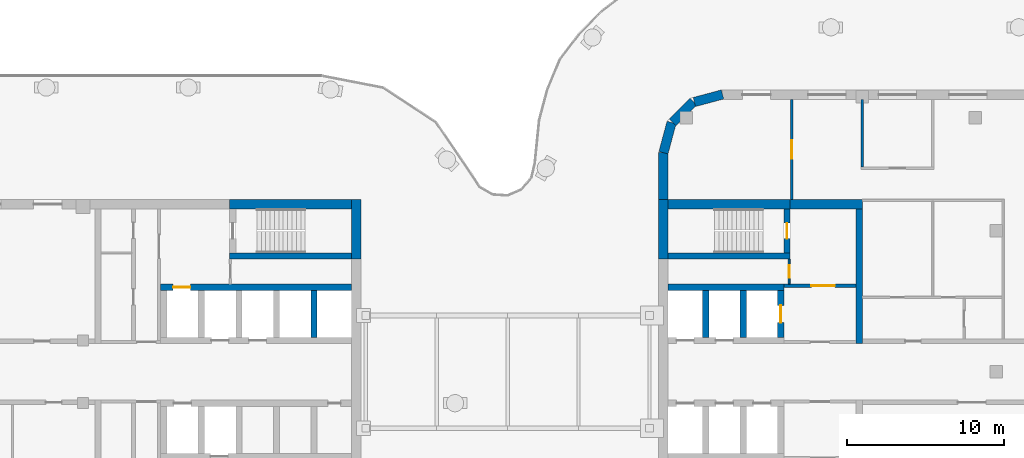
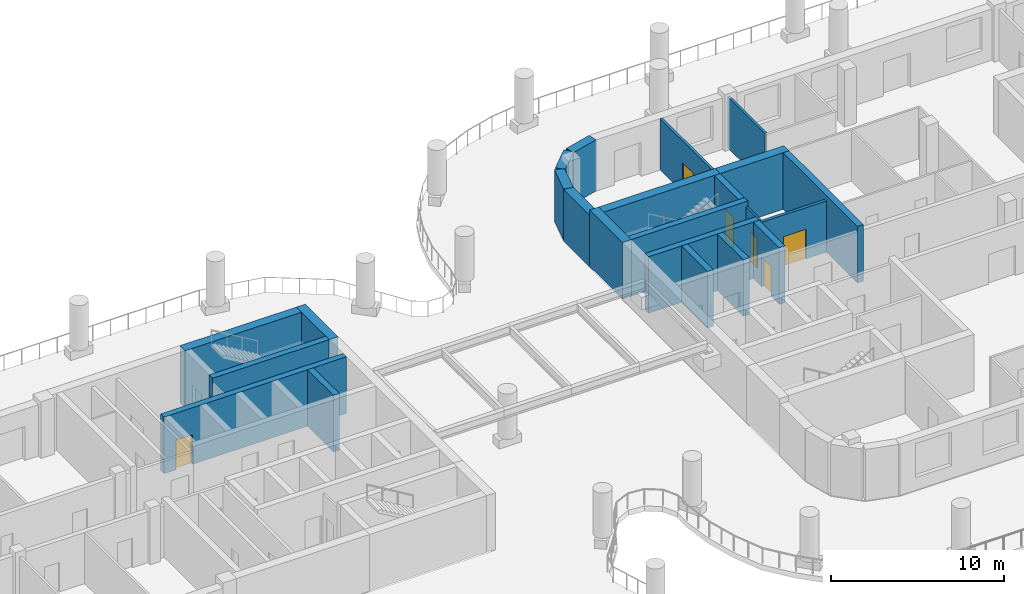
# One storey, part 9 of 18: 23 walls, 6 doors, 6 openings.
"""IFC4 building model written with IfcOpenShell, lengths in metres."""

from ifc_helpers import new_model, si_unit, direction, frame, frame_2d, origin, place, context, subcontext, project, spatial, rectangle, extrude, material, layer, layer_set, type_object, element, fill, save


model = new_model("IFC4")

# Units and contexts
model_context = context("Model", 3, precision=1e-05, world=origin(), true_north=direction((0.0, 1.0)))
body_context = subcontext(model_context, "Body", "Model", "MODEL_VIEW")
ifc_project = project(units=[si_unit("LENGTHUNIT", "METRE"), si_unit("AREAUNIT", "SQUARE_METRE"), si_unit("VOLUMEUNIT", "CUBIC_METRE"), si_unit("PLANEANGLEUNIT", "RADIAN"), si_unit("MASSUNIT", "GRAM", prefix="KILO")], contexts=[model_context])

# Site, building, storey
site_placement = place(None, origin())
site = spatial("IfcSite", under=ifc_project, at=site_placement, CompositionType="ELEMENT")
building_placement = place(site_placement, origin())
building = spatial("IfcBuilding", under=site, at=building_placement, Name="Skarvind Civic Tower", CompositionType="ELEMENT")
storey_placement = place(building_placement, frame((0.0, 0.0, 27.5)))
storey = spatial("IfcBuildingStorey", under=building, at=storey_placement, Name="L05", CompositionType="ELEMENT", Elevation=27.5)

# Wall, opening, door
ifc_material_1 = material(Name="Acoustic gypsum board on steel studs", Category="steel")
ifc_layer_1 = layer(ifc_material_1, 0.175048828125)
ifc_layer_set_1 = layer_set([ifc_layer_1], Name="ACOUSTIC MEETING-ROOM PARTITION 175")
wall_type_1 = type_object("IfcWallType", Name="ACOUSTIC MEETING-ROOM PARTITION 175", PredefinedType="PARTITIONING", material=ifc_layer_set_1)
wall_1_placement = place(storey_placement, frame((135.5, 145.39990234375, 0.0), z_axis=(0.0, 0.0, 1.0), x_axis=(0.0, -1.0, 0.0)))
wall_1 = element("IfcWall", 1, at=wall_1_placement, inside=storey, type_object=wall_type_1, Name="Partition 05.002", PredefinedType="PARTITIONING", context=body_context, shape_type="SweptSolid", body=[
    extrude(rectangle(XDim=6.39990234375, YDim=0.175048828125, at=frame_2d((3.199951171875, 0.0))), origin(), (0.0, 0.0, 1.0), 3.625),
])
opening_1_placement = place(wall_1_placement, frame((2.60009765625, 0.0, 0.0)))
opening_1 = element("IfcOpeningElement", 2, at=opening_1_placement, cuts=wall_1, Name="Opening L05-D107", PredefinedType="OPENING", context=body_context, shape_type="SweptSolid", body=[
    extrude(rectangle(XDim=1.199951171875, YDim=2.10009765625, at=frame_2d((0.60009765625, 1.050048828125))), frame((0.0, 0.097412109375, 0.0), z_axis=(0.0, -1.0, 0.0), x_axis=(1.0, 0.0, 0.0)), (0.0, 0.0, 1.0), 0.195068359375),
])
ifc_material_2 = material(Name="Timber door leaf", Category="wood")
door_type_1 = type_object("IfcDoorType", Name="DOOR 1200X2100 DOUBLE TIMBER", OperationType="NOTDEFINED", PredefinedType="DOOR", material=ifc_material_2)
door_1_placement = place(opening_1_placement, origin())
door_1 = element("IfcDoor", 3, at=door_1_placement, inside=storey, type_object=door_type_1, Name="Door L05-D107", OperationType="DOUBLE_DOOR_SINGLE_SWING", OverallHeight=2.10009765625, OverallWidth=1.199951171875, PredefinedType="DOOR", context=body_context, shape_type="SweptSolid", body=[
    extrude(rectangle(XDim=1.199951171875, YDim=2.10009765625, at=frame_2d((0.60009765625, 1.050048828125))), frame((0.0, 0.02490234375, 0.0), z_axis=(0.0, -1.0, 0.0), x_axis=(1.0, 0.0, 0.0)), (0.0, 0.0, 1.0), 0.050048828125),
])
fill(opening_1, door_1)

ifc_material_3 = material(Name="Fire-rated masonry partition", Category="masonry")
ifc_layer_2 = layer(ifc_material_3, 0.199951171875)
ifc_layer_set_2 = layer_set([ifc_layer_2], Name="Core enclosure wall 200")
wall_type_2 = type_object("IfcWallType", Name="Core enclosure wall 200", PredefinedType="PARTITIONING", material=ifc_layer_set_2)
wall_2_placement = place(storey_placement, frame((135.0, 133.5, 0.0), z_axis=(0.0, 0.0, 1.0), x_axis=(1.0, 0.0, 0.0)))
wall_2 = element("IfcWall", 4, at=wall_2_placement, inside=storey, type_object=wall_type_2, Name="Core wall CA", PredefinedType="PARTITIONING", context=body_context, shape_type="SweptSolid", body=[
    extrude(rectangle(XDim=4.60009765625, YDim=0.199951171875, at=frame_2d((2.300048828125, 0.0))), origin(), (0.0, 0.0, 1.0), 3.625),
])
opening_2_placement = place(wall_2_placement, frame((1.75, 0.0, 0.0)))
opening_2 = element("IfcOpeningElement", 5, at=opening_2_placement, cuts=wall_2, Name="Opening D-L05-CA-07", PredefinedType="OPENING", context=body_context, shape_type="SweptSolid", body=[
    extrude(rectangle(XDim=1.5, YDim=2.10009765625, at=frame_2d((0.75, 1.050048828125))), frame((0.0, 0.10986328125, 0.0), z_axis=(0.0, -1.0, 0.0), x_axis=(1.0, 0.0, 0.0)), (0.0, 0.0, 1.0), 0.219970703125),
])
ifc_material_4 = material(Name="Fire-rated steel door", Category="steel")
door_type_2 = type_object("IfcDoorType", Name="Fire door 1500", OperationType="NOTDEFINED", PredefinedType="DOOR", material=ifc_material_4)
door_2_placement = place(opening_2_placement, origin())
door_2 = element("IfcDoor", 6, at=door_2_placement, inside=storey, type_object=door_type_2, Name="Fire door", OperationType="DOUBLE_DOOR_SINGLE_SWING", OverallHeight=2.10009765625, OverallWidth=1.5, PredefinedType="DOOR", context=body_context, shape_type="SweptSolid", body=[
    extrude(rectangle(XDim=1.5, YDim=2.10009765625, at=frame_2d((0.75, 1.050048828125))), frame((0.0, 0.02490234375, 0.0), z_axis=(0.0, -1.0, 0.0), x_axis=(1.0, 0.0, 0.0)), (0.0, 0.0, 1.0), 0.050048828125),
])
fill(opening_2, door_2)

# Wall
ifc_material_5 = material(Name="Concrete C80", Category="concrete")
ifc_layer_3 = layer(ifc_material_5, 0.39990234375)
ifc_layer_set_3 = layer_set([ifc_layer_3], Name="Core wall 400 C80")
wall_type_3 = type_object("IfcWallType", Name="Core wall 400 C80", PredefinedType="SHEAR", material=ifc_layer_set_3)
wall_3_placement = place(storey_placement, frame((107.39990234375, 135.39990234375, 0.0), z_axis=(0.0, 0.0, 1.0), x_axis=(-1.0, 0.0, 0.0)))
element("IfcWall", 7, at=wall_3_placement, inside=storey, type_object=wall_type_3, Name="Core wall C1 south stair inner L05", PredefinedType="SHEAR", context=body_context, shape_type="SweptSolid", body=[
    extrude(rectangle(XDim=7.7998046875, YDim=0.39990234375, at=frame_2d((3.89990234375, 0.0))), origin(), (0.0, 0.0, 1.0), 4.0),
])

# Wall, opening, door
wall_4_placement = place(storey_placement, frame((107.39990234375, 133.39990234375, 0.0), z_axis=(0.0, 0.0, 1.0), x_axis=(-1.0, 0.0, 0.0)))
wall_4 = element("IfcWall", 8, at=wall_4_placement, inside=storey, type_object=wall_type_3, Name="Core wall C1 south lift row back L05", PredefinedType="SHEAR", context=body_context, shape_type="SweptSolid", body=[
    extrude(rectangle(XDim=12.199951171875, YDim=0.39990234375, at=frame_2d((6.10009765625, 0.0))), origin(), (0.0, 0.0, 1.0), 4.0),
])
opening_3_placement = place(wall_4_placement, frame((10.300048828125, 0.0, 0.0)))
opening_3 = element("IfcOpeningElement", 9, at=opening_3_placement, cuts=wall_4, Name="Opening LD07110", PredefinedType="OPENING", context=body_context, shape_type="SweptSolid", body=[
    extrude(rectangle(XDim=1.10009765625, YDim=2.10009765625, at=frame_2d((0.550048828125, 1.050048828125))), frame((0.0, 0.2099609375, 0.0), z_axis=(0.0, -1.0, 0.0), x_axis=(1.0, 0.0, 0.0)), (0.0, 0.0, 1.0), 0.419921875),
])
ifc_material_6 = material(Name="Stainless steel landing door", Category="steel")
door_type_3 = type_object("IfcDoorType", Name="Lift landing door 1100", OperationType="DOUBLE_DOOR_SLIDING", PredefinedType="DOOR", material=ifc_material_6)
door_3_placement = place(opening_3_placement, origin())
door_3 = element("IfcDoor", 10, at=door_3_placement, inside=storey, type_object=door_type_3, Name="Lift landing door", OperationType="DOUBLE_DOOR_SLIDING", OverallHeight=2.10009765625, OverallWidth=1.10009765625, PredefinedType="DOOR", context=body_context, shape_type="SweptSolid", body=[
    extrude(rectangle(XDim=1.10009765625, YDim=2.10009765625, at=frame_2d((0.550048828125, 1.050048828125))), frame((0.0, 0.02490234375, 0.0), z_axis=(0.0, -1.0, 0.0), x_axis=(1.0, 0.0, 0.0)), (0.0, 0.0, 1.0), 0.050048828125),
])
fill(opening_3, door_3)

# Walls
wall_5_placement = place(storey_placement, frame((105.0, 133.199951171875, 0.0), z_axis=(0.0, 0.0, 1.0), x_axis=(0.0, -1.0, 0.0)))
element("IfcWall", 11, at=wall_5_placement, inside=storey, type_object=wall_type_3, Name="Core wall C1 south lift row division 1 L05", PredefinedType="SHEAR", context=body_context, shape_type="SweptSolid", body=[
    extrude(rectangle(XDim=3.0, YDim=0.39990234375, at=frame_2d((1.5, 0.0))), origin(), (0.0, 0.0, 1.0), 4.0),
])
wall_6_placement = place(storey_placement, frame((127.60009765625, 135.39990234375, 0.0), z_axis=(0.0, 0.0, 1.0), x_axis=(1.0, 0.0, 0.0)))
element("IfcWall", 12, at=wall_6_placement, inside=storey, type_object=wall_type_3, Name="Core wall CA north stair inner L05", PredefinedType="SHEAR", context=body_context, shape_type="SweptSolid", body=[
    extrude(rectangle(XDim=7.7998046875, YDim=0.39990234375, at=frame_2d((3.89990234375, 0.0))), origin(), (0.0, 0.0, 1.0), 4.0),
])

# Wall, opening, door
wall_7_placement = place(storey_placement, frame((135.199951171875, 135.60009765625, 0.0), z_axis=(0.0, 0.0, 1.0), x_axis=(0.0, 1.0, 0.0)))
wall_7 = element("IfcWall", 13, at=wall_7_placement, inside=storey, type_object=wall_type_3, Name="Core wall CA north stair end L05", PredefinedType="SHEAR", context=body_context, shape_type="SweptSolid", body=[
    extrude(rectangle(XDim=2.7998046875, YDim=0.39990234375, at=frame_2d((1.39990234375, 0.0))), origin(), (0.0, 0.0, 1.0), 4.0),
])
opening_4_placement = place(wall_7_placement, frame((0.89990234375, 0.0, 0.0)))
opening_4 = element("IfcOpeningElement", 14, at=opening_4_placement, cuts=wall_7, Name="Opening D-L05-CA-08", PredefinedType="OPENING", context=body_context, shape_type="SweptSolid", body=[
    extrude(rectangle(XDim=1.0, YDim=2.10009765625, at=frame_2d((0.5, 1.050048828125))), frame((0.0, 0.2099609375, 0.0), z_axis=(0.0, -1.0, 0.0), x_axis=(1.0, 0.0, 0.0)), (0.0, 0.0, 1.0), 0.419921875),
])
door_type_4 = type_object("IfcDoorType", Name="Fire door 1000", OperationType="NOTDEFINED", PredefinedType="DOOR", material=ifc_material_4)
door_4_placement = place(opening_4_placement, origin())
door_4 = element("IfcDoor", 15, at=door_4_placement, inside=storey, type_object=door_type_4, Name="Fire door", OperationType="SINGLE_SWING_LEFT", OverallHeight=2.10009765625, OverallWidth=1.0, PredefinedType="DOOR", context=body_context, shape_type="SweptSolid", body=[
    extrude(rectangle(XDim=1.0, YDim=2.10009765625, at=frame_2d((0.5, 1.050048828125))), frame((0.0, 0.02490234375, 0.0), z_axis=(0.0, -1.0, 0.0), x_axis=(1.0, 0.0, 0.0)), (0.0, 0.0, 1.0), 0.050048828125),
])
fill(opening_4, door_4)

# Walls
wall_8_placement = place(storey_placement, frame((127.60009765625, 133.39990234375, 0.0), z_axis=(0.0, 0.0, 1.0), x_axis=(1.0, 0.0, 0.0)))
element("IfcWall", 16, at=wall_8_placement, inside=storey, type_object=wall_type_3, Name="Core wall CA north lift row back L05", PredefinedType="SHEAR", context=body_context, shape_type="SweptSolid", body=[
    extrude(rectangle(XDim=7.39990234375, YDim=0.39990234375, at=frame_2d((3.699951171875, 0.0))), origin(), (0.0, 0.0, 1.0), 4.0),
])
for number, where, z_axis, x_axis, name in (
    (17, (130.0, 130.199951171875, 0.0), (0.0, 0.0, 1.0), (0.0, 1.0, 0.0), "Core wall CA north lift row division 1 L05"),
    (18, (132.39990234375, 130.199951171875, 0.0), (0.0, 0.0, 1.0), (0.0, 1.0, 0.0), "Core wall CA north lift row division 2 L05"),
):
    element("IfcWall", number, at=place(storey_placement, frame(where, z_axis=z_axis, x_axis=x_axis)), inside=storey, type_object=wall_type_3, Name=name, PredefinedType="SHEAR", context=body_context, shape_type="SweptSolid", body=[
        extrude(rectangle(XDim=3.0, YDim=0.39990234375, at=frame_2d((1.5, 0.0))), origin(), (0.0, 0.0, 1.0), 4.0),
    ])

# Wall, opening, door
wall_9_placement = place(storey_placement, frame((134.800048828125, 130.199951171875, 0.0), z_axis=(0.0, 0.0, 1.0), x_axis=(0.0, 1.0, 0.0)))
wall_9 = element("IfcWall", 19, at=wall_9_placement, inside=storey, type_object=wall_type_3, Name="Core wall CA north lift row division 3 L05", PredefinedType="SHEAR", context=body_context, shape_type="SweptSolid", body=[
    extrude(rectangle(XDim=3.0, YDim=0.39990234375, at=frame_2d((1.5, 0.0))), origin(), (0.0, 0.0, 1.0), 4.0),
])
opening_5_placement = place(wall_9_placement, frame((0.949951171875, 0.0, 0.0)))
opening_5 = element("IfcOpeningElement", 20, at=opening_5_placement, cuts=wall_9, Name="Opening LD07303", PredefinedType="OPENING", context=body_context, shape_type="SweptSolid", body=[
    extrude(rectangle(XDim=1.10009765625, YDim=2.10009765625, at=frame_2d((0.550048828125, 1.050048828125))), frame((0.0, 0.2099609375, 0.0), z_axis=(0.0, -1.0, 0.0), x_axis=(1.0, 0.0, 0.0)), (0.0, 0.0, 1.0), 0.419921875),
])
door_5_placement = place(opening_5_placement, origin())
door_5 = element("IfcDoor", 21, at=door_5_placement, inside=storey, type_object=door_type_3, Name="Lift landing door", OperationType="DOUBLE_DOOR_SLIDING", OverallHeight=2.10009765625, OverallWidth=1.10009765625, PredefinedType="DOOR", context=body_context, shape_type="SweptSolid", body=[
    extrude(rectangle(XDim=1.10009765625, YDim=2.10009765625, at=frame_2d((0.550048828125, 1.050048828125))), frame((0.0, 0.02490234375, 0.0), z_axis=(0.0, -1.0, 0.0), x_axis=(1.0, 0.0, 0.0)), (0.0, 0.0, 1.0), 0.050048828125),
])
fill(opening_5, door_5)

# Walls
wall_10_placement = place(storey_placement, frame((139.800048828125, 129.800048828125, 0.0), z_axis=(0.0, 0.0, 1.0), x_axis=(0.0, 1.0, 0.0)))
element("IfcWall", 22, at=wall_10_placement, inside=storey, type_object=wall_type_3, Name="Core wall CA north inner face L05", PredefinedType="SHEAR", context=body_context, shape_type="SweptSolid", body=[
    extrude(rectangle(XDim=8.599853515625, YDim=0.39990234375, at=frame_2d((4.2998046875, 0.0))), origin(), (0.0, 0.0, 1.0), 4.0),
])
ifc_layer_4 = layer(ifc_material_5, 0.60009765625)
ifc_layer_set_4 = layer_set([ifc_layer_4], Name="Core wall 600 C80")
wall_type_4 = type_object("IfcWallType", Name="Core wall 600 C80", PredefinedType="SHEAR", material=ifc_layer_set_4)
wall_11_placement = place(storey_placement, frame((107.699951171875, 139.0, 0.0), z_axis=(0.0, 0.0, 1.0), x_axis=(0.0, -1.0, 0.0)))
element("IfcWall", 23, at=wall_11_placement, inside=storey, type_object=wall_type_4, Name="Core wall C1 tip at the south stair L05", PredefinedType="SHEAR", context=body_context, shape_type="SweptSolid", body=[
    extrude(rectangle(XDim=3.800048828125, YDim=0.60009765625, at=frame_2d((1.89990234375, 0.0))), origin(), (0.0, 0.0, 1.0), 4.0),
])
wall_12_placement = place(storey_placement, frame((107.39990234375, 138.699951171875, 0.0), z_axis=(0.0, 0.0, 1.0), x_axis=(-1.0, 0.0, 0.0)))
element("IfcWall", 24, at=wall_12_placement, inside=storey, type_object=wall_type_4, Name="Core wall C1 south side at the stair L05", PredefinedType="SHEAR", context=body_context, shape_type="SweptSolid", body=[
    extrude(rectangle(XDim=7.7998046875, YDim=0.60009765625, at=frame_2d((3.89990234375, 0.0))), origin(), (0.0, 0.0, 1.0), 4.0),
])
wall_13_placement = place(storey_placement, frame((127.300048828125, 135.199951171875, 0.0), z_axis=(0.0, 0.0, 1.0), x_axis=(0.0, 1.0, 0.0)))
element("IfcWall", 25, at=wall_13_placement, inside=storey, type_object=wall_type_4, Name="Core wall CA tip at the north stair L05", PredefinedType="SHEAR", context=body_context, shape_type="SweptSolid", body=[
    extrude(rectangle(XDim=3.800048828125, YDim=0.60009765625, at=frame_2d((1.89990234375, 0.0))), origin(), (0.0, 0.0, 1.0), 4.0),
])
wall_14_placement = place(storey_placement, frame((127.60009765625, 138.699951171875, 0.0), z_axis=(0.0, 0.0, 1.0), x_axis=(1.0, 0.0, 0.0)))
element("IfcWall", 26, at=wall_14_placement, inside=storey, type_object=wall_type_4, Name="Core wall CA north side at the stair L05", PredefinedType="SHEAR", context=body_context, shape_type="SweptSolid", body=[
    extrude(rectangle(XDim=7.7998046875, YDim=0.60009765625, at=frame_2d((3.89990234375, 0.0))), origin(), (0.0, 0.0, 1.0), 4.0),
])
wall_15_placement = place(storey_placement, frame((135.39990234375, 138.699951171875, 0.0), z_axis=(0.0, 0.0, 1.0), x_axis=(1.0, 0.0, 0.0)))
element("IfcWall", 27, at=wall_15_placement, inside=storey, type_object=wall_type_4, Name="Core wall CA north side L05", PredefinedType="SHEAR", context=body_context, shape_type="SweptSolid", body=[
    extrude(rectangle(XDim=4.60009765625, YDim=0.60009765625, at=frame_2d((2.300048828125, 0.0))), origin(), (0.0, 0.0, 1.0), 4.0),
])
ifc_material_7 = material(Name="Plasterboard partition on steel studs", Category="steel")
ifc_layer_5 = layer(ifc_material_7, 0.14990234375)
ifc_layer_set_5 = layer_set([ifc_layer_5], Name="PARTITION 150")
wall_type_5 = type_object("IfcWallType", Name="PARTITION 150", PredefinedType="PARTITIONING", material=ifc_layer_set_5)
wall_16_placement = place(storey_placement, frame((140.0, 141.074951171875, 0.0), z_axis=(0.0, 0.0, 1.0), x_axis=(0.0, 1.0, 0.0)))
element("IfcWall", 28, at=wall_16_placement, inside=storey, type_object=wall_type_5, Name="Partition 05.008", PredefinedType="PARTITIONING", context=body_context, shape_type="SweptSolid", body=[
    extrude(rectangle(XDim=4.324951171875, YDim=0.14990234375, at=frame_2d((2.16259765625, 0.0))), origin(), (0.0, 0.0, 1.0), 3.625),
])

# Wall, opening, door
ifc_layer_6 = layer(ifc_material_3, 0.125)
ifc_layer_set_6 = layer_set([ifc_layer_6], Name="Riser wall 125")
wall_type_6 = type_object("IfcWallType", Name="Riser wall 125", PredefinedType="PARTITIONING", material=ifc_layer_set_6)
wall_17_placement = place(storey_placement, frame((135.33740234375, 135.199951171875, 0.0), z_axis=(0.0, 0.0, 1.0), x_axis=(0.0, -1.0, 0.0)))
wall_17 = element("IfcWall", 29, at=wall_17_placement, inside=storey, type_object=wall_type_6, Name="Core wall CA", PredefinedType="PARTITIONING", context=body_context, shape_type="SweptSolid", body=[
    extrude(rectangle(XDim=1.599853515625, YDim=0.125, at=frame_2d((0.7998046875, 0.0))), origin(), (0.0, 0.0, 1.0), 3.625),
])
opening_6_placement = place(wall_17_placement, frame((0.39990234375, 0.0, 0.0)))
opening_6 = element("IfcOpeningElement", 30, at=opening_6_placement, cuts=wall_17, Name="Opening D-L05-CA-09", PredefinedType="OPENING", context=body_context, shape_type="SweptSolid", body=[
    extrude(rectangle(XDim=0.800048828125, YDim=2.10009765625, at=frame_2d((0.39990234375, 1.050048828125))), frame((0.0, 0.072509765625, 0.0), z_axis=(0.0, -1.0, 0.0), x_axis=(1.0, 0.0, 0.0)), (0.0, 0.0, 1.0), 0.14501953125),
])
door_type_5 = type_object("IfcDoorType", Name="Core riser door 800", OperationType="NOTDEFINED", PredefinedType="DOOR", material=ifc_material_4)
door_6_placement = place(opening_6_placement, origin())
door_6 = element("IfcDoor", 31, at=door_6_placement, inside=storey, type_object=door_type_5, Name="Riser door", OperationType="SINGLE_SWING_RIGHT", OverallHeight=2.10009765625, OverallWidth=0.800048828125, PredefinedType="DOOR", context=body_context, shape_type="SweptSolid", body=[
    extrude(rectangle(XDim=0.800048828125, YDim=2.10009765625, at=frame_2d((0.39990234375, 1.050048828125))), frame((0.0, 0.02490234375, 0.0), z_axis=(0.0, -1.0, 0.0), x_axis=(1.0, 0.0, 0.0)), (0.0, 0.0, 1.0), 0.050048828125),
])
fill(opening_6, door_6)

# Walls
ifc_material_8 = material(Name="Limestone masonry cladding on insulated backing", Category="masonry")
ifc_layer_7 = layer(ifc_material_8, 0.60009765625)
ifc_layer_set_7 = layer_set([ifc_layer_7], Name="WX1 STONE FACADE WALL 600")
wall_type_7 = type_object("IfcWallType", Name="WX1 STONE FACADE WALL 600", PredefinedType="SOLIDWALL", material=ifc_layer_set_7)
for number, where, z_axis, x_axis, name in (
    (32, (129.280517578125, 145.228759765625, 0.0), (0.0, 0.0, 1.0), (0.965938094805, 0.258773254036, 0.0), "STONE FACADE WALL"),
    (33, (127.896484375, 143.936279296875, 0.0), (0.0, 0.0, 1.0), (0.707106781187, 0.707106781187, 0.0), "STONE FACADE WALL"),
):
    element("IfcWall", number, at=place(storey_placement, frame(where, z_axis=z_axis, x_axis=x_axis)), inside=storey, type_object=wall_type_7, Name=name, PredefinedType="SOLIDWALL", context=body_context, shape_type="SweptSolid", body=[
        extrude(rectangle(XDim=1.860595703125, YDim=0.60009765625, at=frame_2d((0.93017578125, 0.0))), origin(), (0.0, 0.0, 1.0), 3.625),
    ])
wall_18_placement = place(storey_placement, frame((127.307861328125, 141.989990234375, 0.0), z_axis=(0.0, 0.0, 1.0), x_axis=(0.258839784042, 0.965920269068, 0.0)))
element("IfcWall", 34, at=wall_18_placement, inside=storey, type_object=wall_type_7, Name="STONE FACADE WALL", PredefinedType="SOLIDWALL", context=body_context, shape_type="SweptSolid", body=[
    extrude(rectangle(XDim=2.00048828125, YDim=0.60009765625, at=frame_2d((1.000244140625, 0.0))), origin(), (0.0, 0.0, 1.0), 3.625),
])
wall_19_placement = place(storey_placement, frame((127.300048828125, 139.02001953125, 0.0), z_axis=(0.0, 0.0, 1.0), x_axis=(0.0, 1.0, 0.0)))
element("IfcWall", 35, at=wall_19_placement, inside=storey, type_object=wall_type_7, Name="STONE FACADE WALL", PredefinedType="SOLIDWALL", context=body_context, shape_type="SweptSolid", body=[
    extrude(rectangle(XDim=2.97998046875, YDim=0.60009765625, at=frame_2d((1.489990234375, 0.0))), origin(), (0.0, 0.0, 1.0), 3.625),
])

save(model, "model.ifc")
